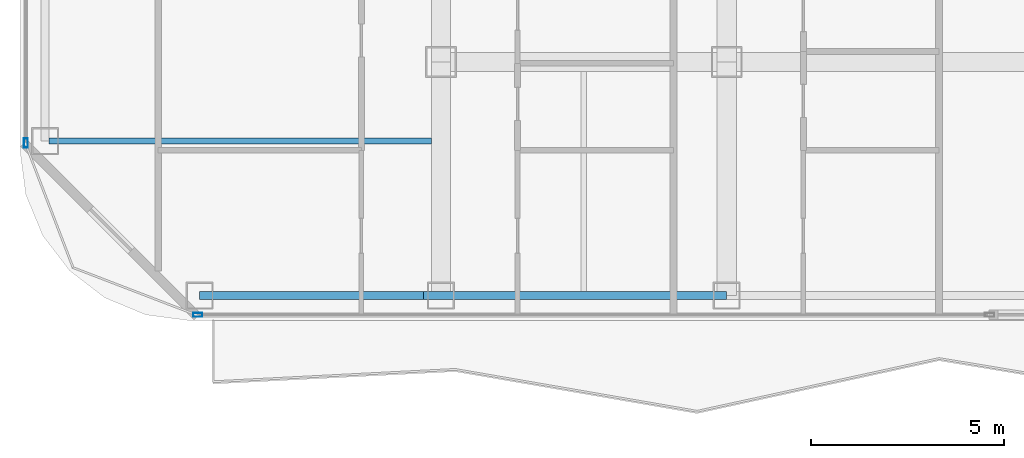
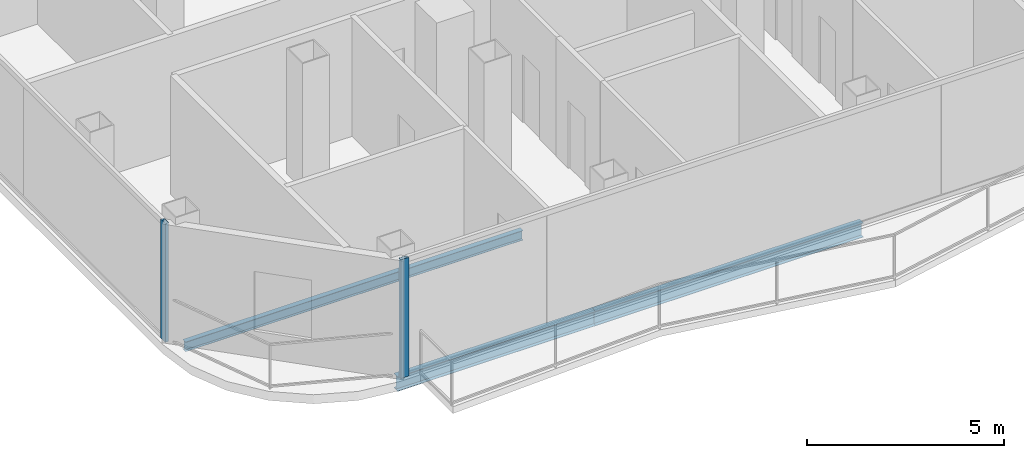
# One storey, part 2 of 27: 3 beams, 2 members, 2 elements without a shape of their own.
"""IFC4 building model written with IfcOpenShell, lengths in metres."""

from ifc_helpers import new_model, si_unit, direction, frame, origin, origin_2d, place, context, subcontext, project, spatial, hollow_rectangle, i_section, extrude, material, layer, layer_set, material_profile, profile_set, type_object, element, aggregate, save


model = new_model("IFC4")

# Units and contexts
model_context = context("Model", 3, precision=1e-05, world=origin(), true_north=direction((0.0, 1.0)))
body_context = subcontext(model_context, "Body", "Model", "MODEL_VIEW")
ifc_project = project(units=[si_unit("LENGTHUNIT", "METRE"), si_unit("AREAUNIT", "SQUARE_METRE"), si_unit("VOLUMEUNIT", "CUBIC_METRE"), si_unit("PLANEANGLEUNIT", "RADIAN"), si_unit("MASSUNIT", "GRAM", prefix="KILO")], contexts=[model_context])

# Site, building, storey
site_placement = place(None, origin())
site = spatial("IfcSite", under=ifc_project, at=site_placement, CompositionType="ELEMENT")
building_placement = place(site_placement, origin())
building = spatial("IfcBuilding", under=site, at=building_placement, Name="Khorvyn Point Tower", CompositionType="ELEMENT")
storey_placement = place(building_placement, frame((0.0, 0.0, 168.0)))
storey = spatial("IfcBuildingStorey", under=building, at=storey_placement, Name="L41", CompositionType="ELEMENT", Elevation=168.0)

# Curtain wall, member
ifc_material_1 = material(Name="Anodised aluminium 6063-T6 and laminated Low-E glass", Category="aluminium")
ifc_layer = layer(ifc_material_1, 0.18994140625)
ifc_layer_set = layer_set([ifc_layer], Name="Stick-Built Acoustic Curtain Wall CW-SYS-03")
curtain_wall_type = type_object("IfcCurtainWallType", Name="Stick-Built Acoustic Curtain Wall CW-SYS-03", PredefinedType="NOTDEFINED", material=ifc_layer_set)
curtain_wall_1_placement = place(storey_placement, origin())
curtain_wall_1 = element("IfcCurtainWall", 1, at=curtain_wall_1_placement, inside=storey, type_object=curtain_wall_type, Name="Curtain Wall", PredefinedType="NOTDEFINED")
ifc_material_2 = material(Name="Anodised aluminium 6063-T6", Category="aluminium")
ifc_material_profile_1 = material_profile(ifc_material_2, hollow_rectangle(XDim=0.10009765625, YDim=0.239990234375, WallThickness=0.0048828125, at=origin_2d()))
ifc_profile_set_1 = profile_set([ifc_material_profile_1], Name="Anodised aluminium 6063-T6 ALU-MUL-100x240")
member_type = type_object("IfcMemberType", Name="Anodised Aluminium 6063-T6 Mullion ALU-MUL-100x240", PredefinedType="MULLION", material=ifc_profile_set_1)
member_1_placement = place(storey_placement, frame((-21.10009765625, -23.64990234375, 0.0), z_axis=(0.0, 0.0, 1.0), x_axis=(0.0, -1.0, 0.0)))
member_1 = element("IfcMember", 2, at=member_1_placement, type_object=member_type, Name="Transom", PredefinedType="MULLION", context=body_context, shape_type="SweptSolid", body=[
    extrude(hollow_rectangle(XDim=0.10009765625, YDim=0.239990234375, WallThickness=0.0048828125, at=origin_2d()), origin(), (0.0, 0.0, 1.0), 3.679931640625),
])
aggregate(curtain_wall_1, [member_1])

curtain_wall_2_placement = place(storey_placement, origin())
curtain_wall_2 = element("IfcCurtainWall", 3, at=curtain_wall_2_placement, inside=storey, type_object=curtain_wall_type, Name="Curtain Wall", PredefinedType="NOTDEFINED")
member_2_placement = place(storey_placement, frame((-25.550048828125, -19.199951171875, 0.0), z_axis=(0.0, 0.0, 1.0), x_axis=(-1.0, 0.0, 0.0)))
member_2 = element("IfcMember", 4, at=member_2_placement, type_object=member_type, Name="Transom", PredefinedType="MULLION", context=body_context, shape_type="SweptSolid", body=[
    extrude(hollow_rectangle(XDim=0.10009765625, YDim=0.239990234375, WallThickness=0.0048828125, at=origin_2d()), origin(), (0.0, 0.0, 1.0), 3.679931640625),
])
aggregate(curtain_wall_2, [member_2])

# Beams
ifc_material_3 = material(Name="Steel S355", Category="steel")
ifc_material_profile_2 = material_profile(ifc_material_3, i_section(OverallWidth=0.14990234375, OverallDepth=0.300048828125, WebThickness=0.006591796875, FlangeThickness=0.009033203125, at=origin_2d()))
ifc_profile_set_2 = profile_set([ifc_material_profile_2], Name="Steel S355 H300x150x6.5x9")
beam_type_1 = type_object("IfcBeamType", Name="Steel S355 Joist H300x150x6.5x9", PredefinedType="JOIST", material=ifc_profile_set_2)
beam_1_placement = place(storey_placement, frame((-24.949951171875, -19.14990234375, -0.429931640625), z_axis=(1.0, 0.0, 0.0), x_axis=(0.0, 1.0, 0.0)))
element("IfcBeam", 5, at=beam_1_placement, inside=storey, type_object=beam_type_1, Name="Beam", PredefinedType="JOIST", context=body_context, shape_type="SweptSolid", body=[
    extrude(i_section(OverallWidth=0.14990234375, OverallDepth=0.300048828125, WebThickness=0.006591796875, FlangeThickness=0.009033203125, at=origin_2d()), origin(), (0.0, 0.0, 1.0), 9.89990234375),
])
ifc_material_profile_3 = material_profile(ifc_material_3, i_section(OverallWidth=0.199951171875, OverallDepth=0.449951171875, WebThickness=0.009033203125, FlangeThickness=0.013916015625, at=origin_2d()))
ifc_profile_set_3 = profile_set([ifc_material_profile_3], Name="Steel S355 H450x200x9x14")
beam_type_2 = type_object("IfcBeamType", Name="Steel S355 Spandrel H450x200x9x14", PredefinedType="SPANDREL", material=ifc_profile_set_3)
beam_2_placement = place(storey_placement, frame((-21.050048828125, -23.14990234375, -0.5048828125), z_axis=(1.0, 0.0, 0.0), x_axis=(0.0, 1.0, 0.0)))
element("IfcBeam", 6, at=beam_2_placement, inside=storey, type_object=beam_type_2, Name="Beam", PredefinedType="SPANDREL", context=body_context, shape_type="SweptSolid", body=[
    extrude(i_section(OverallWidth=0.199951171875, OverallDepth=0.449951171875, WebThickness=0.009033203125, FlangeThickness=0.013916015625, at=origin_2d()), origin(), (0.0, 0.0, 1.0), 5.800048828125),
])
beam_3_placement = place(storey_placement, frame((-15.25, -23.14990234375, -0.5048828125), z_axis=(1.0, 0.0, 0.0), x_axis=(0.0, 1.0, 0.0)))
element("IfcBeam", 7, at=beam_3_placement, inside=storey, type_object=beam_type_2, Name="Beam", PredefinedType="SPANDREL", context=body_context, shape_type="SweptSolid", body=[
    extrude(i_section(OverallWidth=0.199951171875, OverallDepth=0.449951171875, WebThickness=0.009033203125, FlangeThickness=0.013916015625, at=origin_2d()), origin(), (0.0, 0.0, 1.0), 7.85009765625),
])

save(model, "model.ifc")
